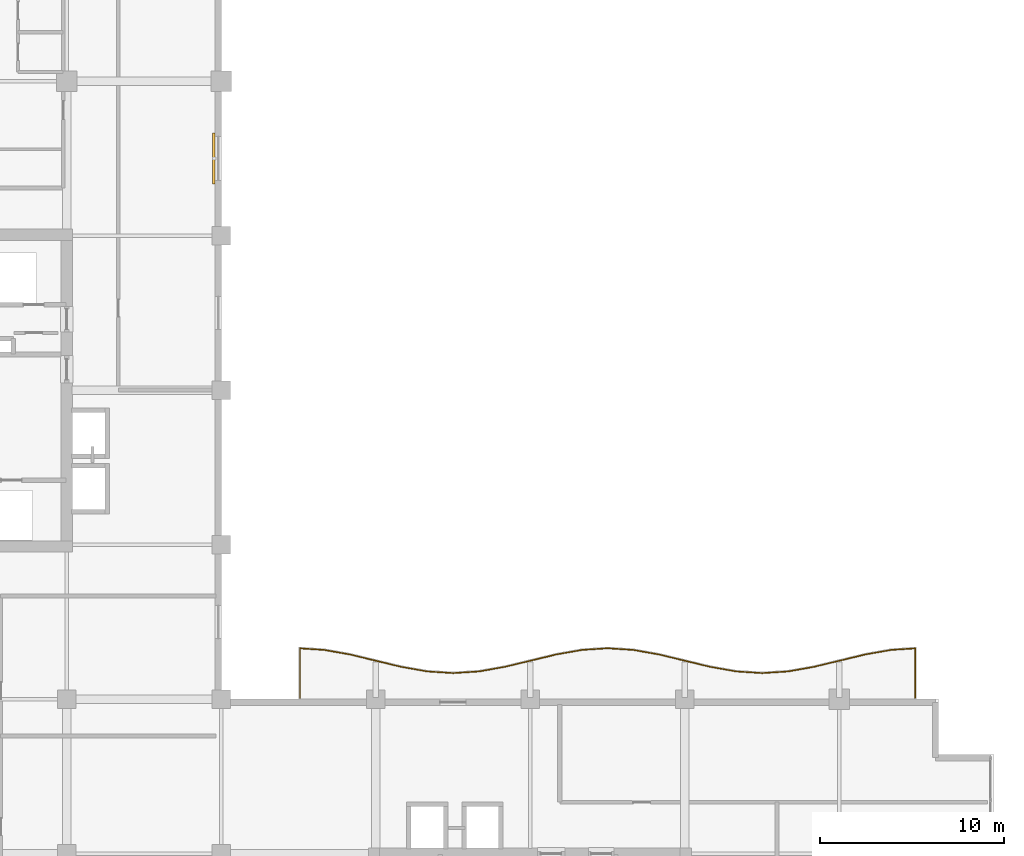
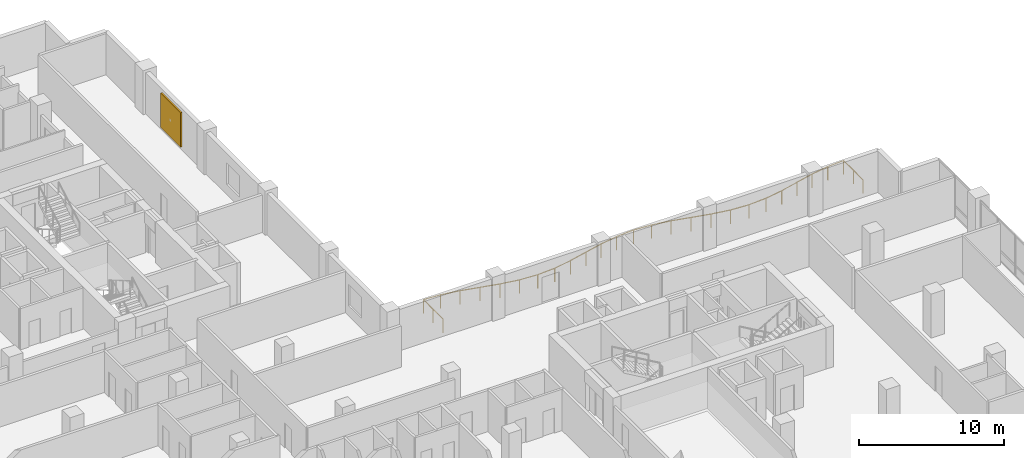
# One storey, part 21 of 21: 1 railing, 1 shading device.
"""IFC4 building model written with IfcOpenShell, lengths in metres."""

from ifc_helpers import new_model, si_unit, direction, frame, origin, origin_2d, place, context, subcontext, project, spatial, rectangle, circle, extrude, material, layer, layer_set, type_object, element, save


model = new_model("IFC4")

# Units and contexts
model_context = context("Model", 3, precision=1e-05, world=origin(), true_north=direction((0.0, 1.0)))
body_context = subcontext(model_context, "Body", "Model", "MODEL_VIEW")
ifc_project = project(units=[si_unit("LENGTHUNIT", "METRE"), si_unit("AREAUNIT", "SQUARE_METRE"), si_unit("VOLUMEUNIT", "CUBIC_METRE"), si_unit("PLANEANGLEUNIT", "RADIAN"), si_unit("MASSUNIT", "GRAM", prefix="KILO")], contexts=[model_context])

# Site, building, storey
site_placement = place(None, origin())
site = spatial("IfcSite", under=ifc_project, at=site_placement, CompositionType="ELEMENT")
building_placement = place(site_placement, origin())
building = spatial("IfcBuilding", under=site, at=building_placement, Name="Koriwani Terraces Tower", CompositionType="ELEMENT")
storey_placement = place(building_placement, frame((0.0, 0.0, 197.60009765625)))
storey = spatial("IfcBuildingStorey", under=building, at=storey_placement, Name="L48", CompositionType="ELEMENT", Elevation=197.60009765625)

# Railing
ifc_material_1 = material(Name="Steel ASTM A572 Grade 50", Category="steel")
railing_type = type_object("IfcRailingType", Name="GUARD_BALUSTRADE_1150", PredefinedType="BALUSTRADE", material=ifc_material_1)
railing_placement = place(storey_placement, frame((71.320068359375, 33.679931640625, 0.0)))
element("IfcRailing", 1, at=railing_placement, inside=storey, type_object=railing_type, Name="L48 Balcony Perimeter Safety Balustrade (NE)", PredefinedType="BALUSTRADE", context=body_context, shape_type="SweptSolid", body=[
    extrude(circle(Radius=0.02392578125, at=origin_2d()), frame((0.0, 0.0, 1.1259765625), z_axis=(0.0, 1.0, 0.0), x_axis=(-1.0, 0.0, 0.0)), (0.0, 0.0, 1.0), 2.684814453125),
    extrude(circle(Radius=0.02392578125, at=origin_2d()), frame((0.0, 2.684814453125, 1.1259765625), z_axis=(-0.997917210055, -0.064507688504, 0.0), x_axis=(0.064507688504, -0.997917210055, 0.0)), (0.0, 0.0, 1.0), 1.313232421875),
    extrude(circle(Radius=0.02392578125, at=origin_2d()), frame((-1.310546875, 2.60009765625, 1.1259765625), z_axis=(-0.984787032938, -0.173765646078, 0.0), x_axis=(0.173765646078, -0.984787032938, 0.0)), (0.0, 0.0, 1.0), 1.414794921875),
    extrude(circle(Radius=0.02392578125, at=origin_2d()), frame((-2.703857421875, 2.354248046875, 1.1259765625), z_axis=(-0.972142848567, -0.234389167796, 0.0), x_axis=(0.234389167796, -0.972142848567, 0.0)), (0.0, 0.0, 1.0), 2.880126953125),
    extrude(circle(Radius=0.02392578125, at=origin_2d()), frame((-5.503662109375, 1.67919921875, 1.1259765625), z_axis=(-0.984812790368, -0.173619606978, 0.0), x_axis=(0.173619606978, -0.984812790368, 0.0)), (0.0, 0.0, 1.0), 1.4287109375),
    extrude(circle(Radius=0.02392578125, at=origin_2d()), frame((-6.91064453125, 1.43115234375, 1.1259765625), z_axis=(-0.997930321615, -0.064304534842, 0.0), x_axis=(0.064304534842, -0.997930321615, 0.0)), (0.0, 0.0, 1.0), 1.412353515625),
    extrude(circle(Radius=0.02392578125, at=origin_2d()), frame((-8.320068359375, 1.34033203125, 1.1259765625), z_axis=(-0.997930321615, 0.064304534842, 0.0), x_axis=(-0.064304534842, -0.997930321615, 0.0)), (0.0, 0.0, 1.0), 1.412353515625),
    extrude(circle(Radius=0.02392578125, at=origin_2d()), frame((-9.7294921875, 1.43115234375, 1.1259765625), z_axis=(-0.984812790368, 0.173619606978, 0.0), x_axis=(-0.173619606978, -0.984812790368, 0.0)), (0.0, 0.0, 1.0), 1.4287109375),
    extrude(circle(Radius=0.02392578125, at=origin_2d()), frame((-11.136474609375, 1.67919921875, 1.1259765625), z_axis=(-0.972142848567, 0.234389167796, 0.0), x_axis=(-0.234389167796, -0.972142848567, 0.0)), (0.0, 0.0, 1.0), 2.880126953125),
    extrude(circle(Radius=0.02392578125, at=origin_2d()), frame((-13.936279296875, 2.354248046875, 1.1259765625), z_axis=(-0.984787032938, 0.173765646078, 0.0), x_axis=(-0.173765646078, -0.984787032938, 0.0)), (0.0, 0.0, 1.0), 1.414794921875),
    extrude(circle(Radius=0.02392578125, at=origin_2d()), frame((-15.32958984375, 2.60009765625, 1.1259765625), z_axis=(-0.997918766852, 0.064483600738, 0.0), x_axis=(-0.064483600738, -0.997918766852, 0.0)), (0.0, 0.0, 1.0), 1.393310546875),
    extrude(circle(Radius=0.02392578125, at=origin_2d()), frame((-16.719970703125, 2.68994140625, 1.1259765625), z_axis=(-0.997918766852, -0.064483600738, 0.0), x_axis=(0.064483600738, -0.997918766852, 0.0)), (0.0, 0.0, 1.0), 1.393310546875),
    extrude(circle(Radius=0.02392578125, at=origin_2d()), frame((-18.1103515625, 2.60009765625, 1.1259765625), z_axis=(-0.984787032938, -0.173765646078, 0.0), x_axis=(0.173765646078, -0.984787032938, 0.0)), (0.0, 0.0, 1.0), 1.414794921875),
    extrude(circle(Radius=0.02392578125, at=origin_2d()), frame((-19.503662109375, 2.354248046875, 1.1259765625), z_axis=(-0.972147505112, -0.234369853661, 0.0), x_axis=(0.234369853661, -0.972147505112, 0.0)), (0.0, 0.0, 1.0), 2.88037109375),
    extrude(circle(Radius=0.02392578125, at=origin_2d()), frame((-22.3037109375, 1.67919921875, 1.1259765625), z_axis=(-0.984807637937, -0.173648830292, 0.0), x_axis=(0.173648830292, -0.984807637937, 0.0)), (0.0, 0.0, 1.0), 1.428466796875),
    extrude(circle(Radius=0.02392578125, at=origin_2d()), frame((-23.71044921875, 1.43115234375, 1.1259765625), z_axis=(-0.997931036226, -0.064293443969, 0.0), x_axis=(0.064293443969, -0.997931036226, 0.0)), (0.0, 0.0, 1.0), 1.41259765625),
    extrude(circle(Radius=0.02392578125, at=origin_2d()), frame((-25.1201171875, 1.34033203125, 1.1259765625), z_axis=(-0.997930321615, 0.064304534842, 0.0), x_axis=(-0.064304534842, -0.997930321615, 0.0)), (0.0, 0.0, 1.0), 1.412353515625),
    extrude(circle(Radius=0.02392578125, at=origin_2d()), frame((-26.529541015625, 1.43115234375, 1.1259765625), z_axis=(-0.984807637937, 0.173648830292, 0.0), x_axis=(-0.173648830292, -0.984807637937, 0.0)), (0.0, 0.0, 1.0), 1.428466796875),
    extrude(circle(Radius=0.02392578125, at=origin_2d()), frame((-27.936279296875, 1.67919921875, 1.1259765625), z_axis=(-0.972147505112, 0.234369853661, 0.0), x_axis=(-0.234369853661, -0.972147505112, 0.0)), (0.0, 0.0, 1.0), 2.88037109375),
    extrude(circle(Radius=0.02392578125, at=origin_2d()), frame((-30.736328125, 2.354248046875, 1.1259765625), z_axis=(-0.984787032938, 0.173765646078, 0.0), x_axis=(-0.173765646078, -0.984787032938, 0.0)), (0.0, 0.0, 1.0), 1.414794921875),
    extrude(circle(Radius=0.02392578125, at=origin_2d()), frame((-32.129638671875, 2.60009765625, 1.1259765625), z_axis=(-0.997917210055, 0.064507688504, 0.0), x_axis=(-0.064507688504, -0.997917210055, 0.0)), (0.0, 0.0, 1.0), 1.313232421875),
    extrude(circle(Radius=0.02392578125, at=origin_2d()), frame((-33.440185546875, 2.684814453125, 1.1259765625), z_axis=(0.0, -1.0, 0.0), x_axis=(1.0, 0.0, 0.0)), (0.0, 0.0, 1.0), 2.684814453125),
    extrude(circle(Radius=0.02099609375, at=origin_2d()), origin(), (0.0, 0.0, 1.0), 1.101806640625),
    extrude(circle(Radius=0.02099609375, at=origin_2d()), frame((0.0, 1.34228515625, 0.0)), (0.0, 0.0, 1.0), 1.101806640625),
    extrude(circle(Radius=0.02099609375, at=origin_2d()), frame((0.0, 2.684814453125, 0.0)), (0.0, 0.0, 1.0), 1.101806640625),
    extrude(circle(Radius=0.02099609375, at=origin_2d()), frame((-1.310546875, 2.60009765625, 0.0)), (0.0, 0.0, 1.0), 1.101806640625),
    extrude(circle(Radius=0.02099609375, at=origin_2d()), frame((-2.703857421875, 2.354248046875, 0.0)), (0.0, 0.0, 1.0), 1.101806640625),
    extrude(circle(Radius=0.02099609375, at=origin_2d()), frame((-4.103759765625, 2.0166015625, 0.0)), (0.0, 0.0, 1.0), 1.101806640625),
    extrude(circle(Radius=0.02099609375, at=origin_2d()), frame((-5.503662109375, 1.67919921875, 0.0)), (0.0, 0.0, 1.0), 1.101806640625),
    extrude(circle(Radius=0.02099609375, at=origin_2d()), frame((-6.91064453125, 1.43115234375, 0.0)), (0.0, 0.0, 1.0), 1.101806640625),
    extrude(circle(Radius=0.02099609375, at=origin_2d()), frame((-8.320068359375, 1.34033203125, 0.0)), (0.0, 0.0, 1.0), 1.101806640625),
    extrude(circle(Radius=0.02099609375, at=origin_2d()), frame((-9.7294921875, 1.43115234375, 0.0)), (0.0, 0.0, 1.0), 1.101806640625),
    extrude(circle(Radius=0.02099609375, at=origin_2d()), frame((-11.136474609375, 1.67919921875, 0.0)), (0.0, 0.0, 1.0), 1.101806640625),
    extrude(circle(Radius=0.02099609375, at=origin_2d()), frame((-12.536376953125, 2.0166015625, 0.0)), (0.0, 0.0, 1.0), 1.101806640625),
    extrude(circle(Radius=0.02099609375, at=origin_2d()), frame((-13.936279296875, 2.354248046875, 0.0)), (0.0, 0.0, 1.0), 1.101806640625),
    extrude(circle(Radius=0.02099609375, at=origin_2d()), frame((-15.32958984375, 2.60009765625, 0.0)), (0.0, 0.0, 1.0), 1.101806640625),
    extrude(circle(Radius=0.02099609375, at=origin_2d()), frame((-16.719970703125, 2.68994140625, 0.0)), (0.0, 0.0, 1.0), 1.101806640625),
    extrude(circle(Radius=0.02099609375, at=origin_2d()), frame((-18.1103515625, 2.60009765625, 0.0)), (0.0, 0.0, 1.0), 1.101806640625),
    extrude(circle(Radius=0.02099609375, at=origin_2d()), frame((-19.503662109375, 2.354248046875, 0.0)), (0.0, 0.0, 1.0), 1.101806640625),
    extrude(circle(Radius=0.02099609375, at=origin_2d()), frame((-20.90380859375, 2.0166015625, 0.0)), (0.0, 0.0, 1.0), 1.101806640625),
    extrude(circle(Radius=0.02099609375, at=origin_2d()), frame((-22.3037109375, 1.67919921875, 0.0)), (0.0, 0.0, 1.0), 1.101806640625),
    extrude(circle(Radius=0.02099609375, at=origin_2d()), frame((-23.71044921875, 1.43115234375, 0.0)), (0.0, 0.0, 1.0), 1.101806640625),
    extrude(circle(Radius=0.02099609375, at=origin_2d()), frame((-25.1201171875, 1.34033203125, 0.0)), (0.0, 0.0, 1.0), 1.101806640625),
    extrude(circle(Radius=0.02099609375, at=origin_2d()), frame((-26.529541015625, 1.43115234375, 0.0)), (0.0, 0.0, 1.0), 1.101806640625),
    extrude(circle(Radius=0.02099609375, at=origin_2d()), frame((-27.936279296875, 1.67919921875, 0.0)), (0.0, 0.0, 1.0), 1.101806640625),
    extrude(circle(Radius=0.02099609375, at=origin_2d()), frame((-29.33642578125, 2.0166015625, 0.0)), (0.0, 0.0, 1.0), 1.101806640625),
    extrude(circle(Radius=0.02099609375, at=origin_2d()), frame((-30.736328125, 2.354248046875, 0.0)), (0.0, 0.0, 1.0), 1.101806640625),
    extrude(circle(Radius=0.02099609375, at=origin_2d()), frame((-32.129638671875, 2.60009765625, 0.0)), (0.0, 0.0, 1.0), 1.101806640625),
    extrude(circle(Radius=0.02099609375, at=origin_2d()), frame((-33.440185546875, 2.684814453125, 0.0)), (0.0, 0.0, 1.0), 1.101806640625),
    extrude(circle(Radius=0.02099609375, at=origin_2d()), frame((-33.440185546875, 1.34228515625, 0.0)), (0.0, 0.0, 1.0), 1.101806640625),
    extrude(circle(Radius=0.02099609375, at=origin_2d()), frame((-33.440185546875, 0.0, 0.0)), (0.0, 0.0, 1.0), 1.101806640625),
])

# Shading device
ifc_material_2 = material(Name="Extruded Terracotta Clay", Category="masonry")
ifc_layer = layer(ifc_material_2, 0.1201171875, Name="Extruded Terracotta Clay")
ifc_layer_set = layer_set([ifc_layer], Name="Extruded Terracotta Clay")
shading_device_type = type_object("IfcShadingDeviceType", Name="TERRACOTTA_BAGUETTE_SCREEN_2800", PredefinedType="USERDEFINED", material=ifc_layer_set)
shading_device_placement = place(storey_placement, frame((33.195068359375, 63.0, 0.284912109375), z_axis=(0.0, 0.0, 1.0), x_axis=(0.0, -1.0, 0.0)))
element("IfcShadingDevice", 2, at=shading_device_placement, inside=storey, type_object=shading_device_type, Name="L48 Extruded Terracotta Baguette Screen (NW_IN-11)", ObjectType="BAGUETTE", PredefinedType="USERDEFINED", context=body_context, shape_type="SweptSolid", body=[
    extrude(rectangle(XDim=2.760009765625, YDim=0.1201171875, at=origin_2d()), origin(), (0.0, 0.0, 1.0), 2.89990234375),
])

save(model, "model.ifc")
